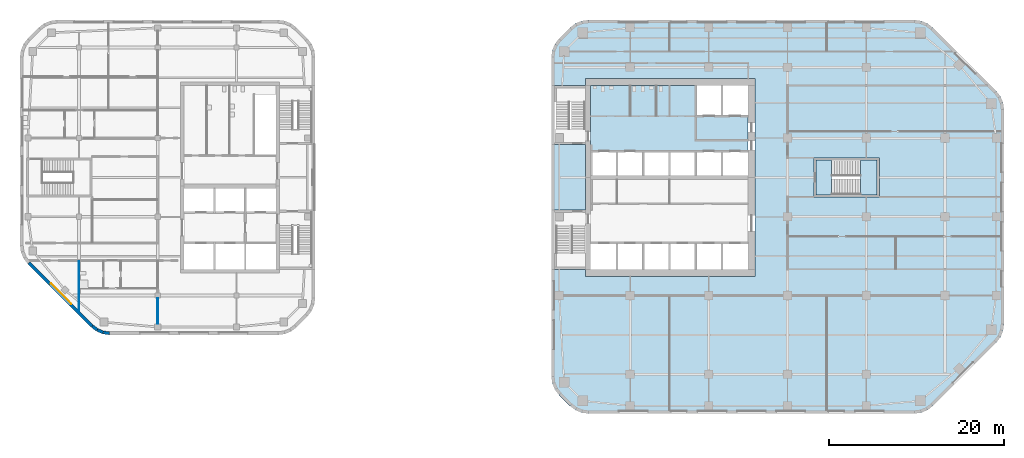
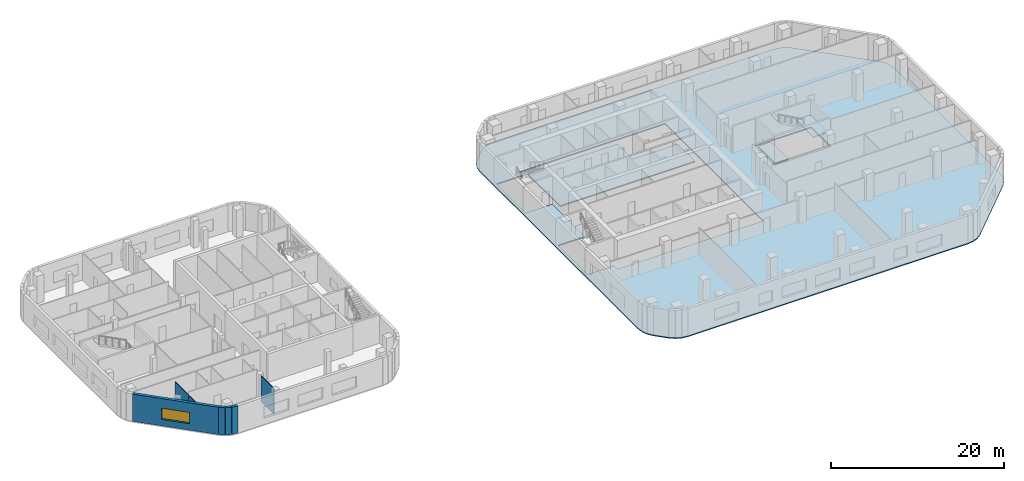
# One storey, part 4 of 14: 7 walls, 4 slabs, 1 window, 1 opening, 1 element without a shape of its own.
"""IFC4 building model written with IfcOpenShell, lengths in metres."""

from ifc_helpers import new_model, si_unit, direction, frame, frame_2d, origin, place, context, subcontext, project, spatial, polyline, rectangle, outline, extrude, material, layer, layer_set, type_object, element, fill, aggregate, save


model = new_model("IFC4")

# Units and contexts
model_context = context("Model", 3, precision=1e-05, world=origin(), true_north=direction((0.0, 1.0)))
body_context = subcontext(model_context, "Body", "Model", "MODEL_VIEW")
ifc_project = project(units=[si_unit("LENGTHUNIT", "METRE"), si_unit("AREAUNIT", "SQUARE_METRE"), si_unit("VOLUMEUNIT", "CUBIC_METRE"), si_unit("PLANEANGLEUNIT", "RADIAN"), si_unit("MASSUNIT", "GRAM", prefix="KILO")], contexts=[model_context])

# Site, building, storey
site_placement = place(None, origin())
site = spatial("IfcSite", under=ifc_project, at=site_placement, CompositionType="ELEMENT")
building_placement = place(site_placement, origin())
building = spatial("IfcBuilding", under=site, at=building_placement, Name="Cinnabar Reach Civic Tower", CompositionType="ELEMENT")
storey_placement = place(building_placement, frame((0.0, 0.0, 132.0)))
storey = spatial("IfcBuildingStorey", under=building, at=storey_placement, Name="L31", CompositionType="ELEMENT", Elevation=132.0)

# Slab
ifc_material_1 = material(Name="Concrete C40", Category="concrete")
ifc_layer_1 = layer(ifc_material_1, 0.15)
ifc_layer_set_1 = layer_set([ifc_layer_1], Name="Composite floor slab 150 REI 150")
slab_type_1 = type_object("IfcSlabType", Name="Composite floor slab 150 REI 150", PredefinedType="FLOOR", material=ifc_layer_set_1)
slab_1_placement = place(storey_placement, frame((0.0, 0.0, -0.15)))
element("IfcSlab", 1, at=slab_1_placement, inside=storey, type_object=slab_type_1, Name="Composite floor slab 150 T1 L31", PredefinedType="FLOOR", context=body_context, shape_type="SweptSolid", body=[
    extrude(outline(polyline([(0.8787, 6.6213), (0.4019, 7.2426), (0.1022, 7.9662), (0.0, 8.7426), (0.0, 45.2574), (0.1022, 46.0338), (0.4019, 46.7574), (0.8787, 47.3787), (2.1213, 48.6213), (2.7426, 49.0981), (3.4662, 49.3978), (4.2426, 49.5), (41.5074, 49.5), (42.2838, 49.3978), (43.0074, 49.0981), (43.6287, 48.6213), (50.8713, 41.3787), (51.3481, 40.7574), (51.6478, 40.0338), (51.75, 39.2574), (51.75, 14.7426), (51.6478, 13.9662), (51.3481, 13.2426), (50.8713, 12.6213), (43.6287, 5.3787), (43.0074, 4.9019), (42.2838, 4.6022), (41.5074, 4.5), (4.2426, 4.5), (3.4662, 4.6022), (2.7426, 4.9019), (2.1213, 5.3787), (0.8787, 6.6213)]), holes=[polyline([(0.36, 21.0), (3.9, 21.0), (3.9, 20.2), (23.3, 20.2), (23.3, 42.8), (3.9, 42.8), (3.9, 42.0), (0.36, 42.0), (0.36, 35.25), (3.9, 35.25), (3.9, 27.75), (0.36, 27.75), (0.36, 21.0)]), polyline([(30.0, 33.75), (30.0, 29.25), (37.5, 29.25), (37.5, 33.75), (30.0, 33.75)])]), origin(), (0.0, 0.0, 1.0), 0.15),
])

# Stair, slabs
ifc_material_2 = material(Name="Concrete C40/50", Category="concrete")
stair_type = type_object("IfcStairType", Name="T1 Exit stair, half-turn", PredefinedType="HALF_TURN_STAIR", material=ifc_material_2)
stair_placement = place(storey_placement, origin())
stair = element("IfcStair", 2, at=stair_placement, inside=storey, type_object=stair_type, Name="Stair T1-S3", PredefinedType="HALF_TURN_STAIR")
ifc_layer_2 = layer(ifc_material_2, 0.2)
ifc_layer_set_2 = layer_set([ifc_layer_2], Name="T1 Stair landing 200, Concrete C40/50")
slab_type_2 = type_object("IfcSlabType", Name="T1 Stair landing 200, Concrete C40/50", PredefinedType="LANDING", material=ifc_layer_set_2)
slab_2_placement = place(storey_placement, frame((0.0, 0.0, -0.2)))
slab_2 = element("IfcSlab", 3, at=slab_2_placement, type_object=slab_type_2, Name="T1-S3 landing 1", PredefinedType="LANDING", context=body_context, shape_type="SweptSolid", body=[
    extrude(outline(polyline([(30.25, 29.5), (32.05, 29.5), (32.05, 33.5), (30.25, 33.5), (30.25, 29.5)])), origin(), (0.0, 0.0, 1.0), 0.2),
])
slab_3_placement = place(storey_placement, frame((0.0, 0.0, 1.8)))
slab_3 = element("IfcSlab", 4, at=slab_3_placement, type_object=slab_type_2, Name="T1-S3 landing 2", PredefinedType="LANDING", context=body_context, shape_type="SweptSolid", body=[
    extrude(outline(polyline([(35.35, 29.5), (37.25, 29.5), (37.25, 33.5), (35.35, 33.5), (35.35, 29.5)])), origin(), (0.0, 0.0, 1.0), 0.2),
])
aggregate(stair, [slab_2, slab_3])

# Slab
ifc_layer_3 = layer(ifc_material_2, 0.15)
ifc_layer_set_3 = layer_set([ifc_layer_3], Name="T1 core floor slab 150")
slab_type_3 = type_object("IfcSlabType", Name="T1 core floor slab 150", PredefinedType="FLOOR", material=ifc_layer_set_3)
slab_4_placement = place(storey_placement, frame((0.0, 0.0, -0.15)))
element("IfcSlab", 5, at=slab_4_placement, inside=storey, type_object=slab_type_3, Name="Core floor slab L31", PredefinedType="FLOOR", context=body_context, shape_type="SweptSolid", body=[
    extrude(outline(polyline([(22.5, 34.5), (19.5, 34.5), (16.5, 34.5), (13.5, 34.5), (10.5, 34.5), (7.5, 34.5), (4.5, 34.5), (4.5, 42.0), (16.5, 42.0), (16.5, 38.5), (19.5, 38.5), (22.5, 38.5), (22.5, 34.5)])), origin(), (0.0, 0.0, 1.0), 0.15),
])

# Walls
ifc_material_3 = material(Name="Facing brick with insulated backing", Category="masonry")
ifc_layer_4 = layer(ifc_material_3, 0.36)
ifc_layer_set_4 = layer_set([ifc_layer_4], Name="Brick corner wall")
wall_type_1 = type_object("IfcWallType", Name="Brick corner wall", PredefinedType="STANDARD", material=ifc_layer_set_4)
wall_1_placement = place(storey_placement, frame((-52.4913, 14.5002, 0.0), z_axis=(0.0, 0.0, 1.0), x_axis=(0.793321924995, -0.608802368033, 0.0)))
element("IfcWall", 6, at=wall_1_placement, inside=storey, type_object=wall_type_1, Name="Brick corner wall", PredefinedType="STANDARD", context=body_context, shape_type="SweptSolid", body=[
    extrude(rectangle(XDim=0.7132, YDim=0.36, at=frame_2d((0.3566, 0.0))), origin(), (0.0, 0.0, 1.0), 3.85),
])
for number, where, z_axis, x_axis, name in (
    (7, (-51.9061, 14.0548, 0.0), (0.0, 0.0, 1.0), (0.923871547278, -0.382702709855, 0.0), "Brick corner wall"),
    (8, (-51.2256, 13.7761, 0.0), (0.0, 0.0, 1.0), (0.99144092581, -0.13055608231, 0.0), "Brick corner wall"),
):
    element("IfcWall", number, at=place(storey_placement, frame(where, z_axis=z_axis, x_axis=x_axis)), inside=storey, type_object=wall_type_1, Name=name, PredefinedType="STANDARD", context=body_context, shape_type="SweptSolid", body=[
        extrude(rectangle(XDim=0.7131, YDim=0.36, at=frame_2d((0.3565, 0.0))), origin(), (0.0, 0.0, 1.0), 3.85),
    ])

# Wall, opening, window
ifc_layer_5 = layer(ifc_material_3, 0.36)
ifc_layer_set_5 = layer_set([ifc_layer_5], Name="Brick pier and spandrel wall")
wall_type_2 = type_object("IfcWallType", Name="Brick pier and spandrel wall", PredefinedType="STANDARD", material=ifc_layer_set_5)
wall_2_placement = place(storey_placement, frame((-59.744, 21.7486, 0.0), z_axis=(0.0, 0.0, 1.0), x_axis=(0.707106781187, -0.707106781187, 0.0)))
wall_2 = element("IfcWall", 9, at=wall_2_placement, inside=storey, type_object=wall_type_2, Name="Brick facade wall", PredefinedType="STANDARD", context=body_context, shape_type="SweptSolid", body=[
    extrude(rectangle(XDim=10.2426, YDim=0.36, at=frame_2d((5.1213, 0.0))), origin(), (0.0, 0.0, 1.0), 3.85),
])
opening_placement = place(wall_2_placement, frame((3.4713, 0.0, 0.9)))
opening = element("IfcOpeningElement", 10, at=opening_placement, cuts=wall_2, Name="Opening W2792", PredefinedType="OPENING", context=body_context, shape_type="SweptSolid", body=[
    extrude(rectangle(XDim=3.3, YDim=1.6, at=frame_2d((1.65, 0.8))), frame((0.0, 0.19, 0.0), z_axis=(0.0, -1.0, 0.0), x_axis=(1.0, 0.0, 0.0)), (0.0, 0.0, 1.0), 0.38),
])
ifc_material_4 = material(Name="Clear double glazing in aluminium frame", Category="aluminium")
window_type = type_object("IfcWindowType", Name="Deep-set window A", PartitioningType="SINGLE_PANEL", PredefinedType="WINDOW", material=ifc_material_4)
window_placement = place(opening_placement, origin())
window = element("IfcWindow", 11, at=window_placement, inside=storey, type_object=window_type, Name="Window southwest face", OverallHeight=1.6, OverallWidth=3.3, PartitioningType="SINGLE_PANEL", PredefinedType="WINDOW", context=body_context, shape_type="SweptSolid", body=[
    extrude(rectangle(XDim=3.3, YDim=1.6, at=frame_2d((1.65, 0.8))), frame((0.0, 0.13, 0.0), z_axis=(0.0, -1.0, 0.0), x_axis=(1.0, 0.0, 0.0)), (0.0, 0.0, 1.0), 0.06),
])
fill(opening, window)

# Walls
ifc_material_5 = material(Name="Gypsum board on steel studs", Category="steel")
ifc_layer_6 = layer(ifc_material_5, 0.1)
ifc_layer_set_6 = layer_set([ifc_layer_6], Name="Partition wall 100 T2")
wall_type_3 = type_object("IfcWallType", Name="Partition wall 100 T2", PredefinedType="PARTITIONING", material=ifc_layer_set_6)
wall_3_placement = place(storey_placement, frame((-45.0, 14.75, 0.0), z_axis=(0.0, 0.0, 1.0), x_axis=(0.0, 1.0, 0.0)))
element("IfcWall", 12, at=wall_3_placement, inside=storey, type_object=wall_type_3, Name="Partition wall 20", PredefinedType="PARTITIONING", context=body_context, shape_type="SweptSolid", body=[
    extrude(rectangle(XDim=2.95, YDim=0.1, at=frame_2d((1.475, 0.0))), origin(), (0.0, 0.0, 1.0), 3.652),
])
wall_4_placement = place(storey_placement, frame((-54.0, 18.85, 0.0), z_axis=(0.0, 0.0, 1.0), x_axis=(0.0, 1.0, 0.0)))
element("IfcWall", 13, at=wall_4_placement, inside=storey, type_object=wall_type_3, Name="Partition wall 22", PredefinedType="PARTITIONING", context=body_context, shape_type="SweptSolid", body=[
    extrude(rectangle(XDim=3.075, YDim=0.1, at=frame_2d((1.5375, 0.0))), origin(), (0.0, 0.0, 1.0), 3.362),
])
wall_5_placement = place(storey_placement, frame((-54.0, 16.2591, 0.0), z_axis=(0.0, 0.0, 1.0), x_axis=(0.0, 1.0, 0.0)))
element("IfcWall", 14, at=wall_5_placement, inside=storey, type_object=wall_type_3, Name="Partition wall 23", PredefinedType="PARTITIONING", context=body_context, shape_type="SweptSolid", body=[
    extrude(rectangle(XDim=2.4909, YDim=0.1, at=frame_2d((1.2454, 0.0))), origin(), (0.0, 0.0, 1.0), 3.362),
])

save(model, "model.ifc")
